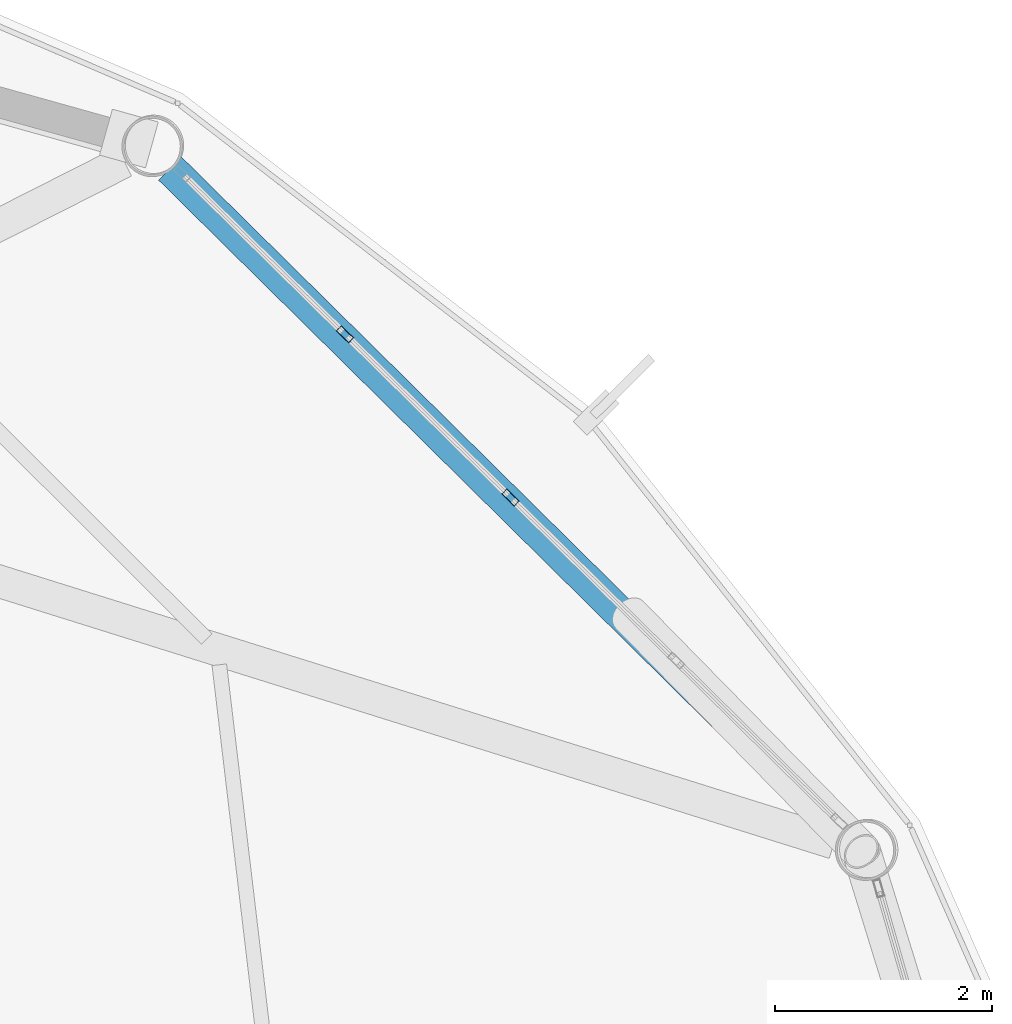
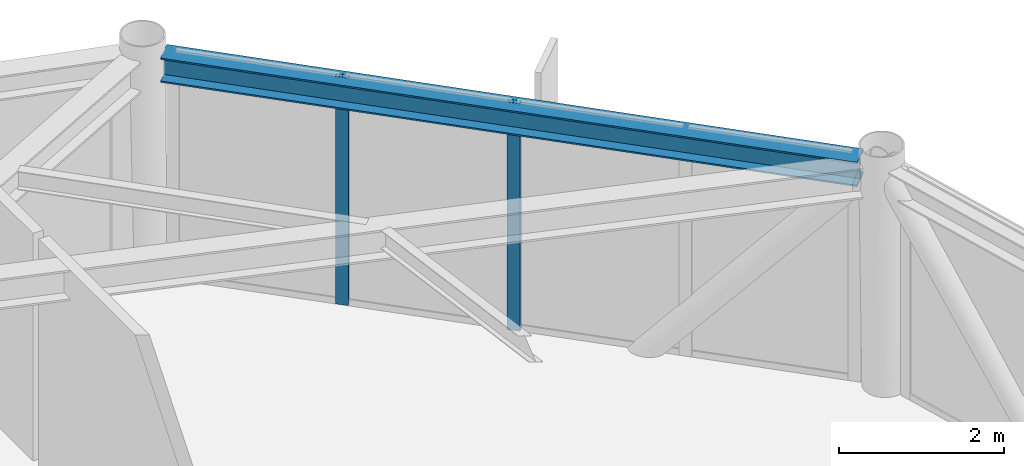
# One storey, part 15 of 26: 2 members, 1 beam, 1 element without a shape of its own.
"""IFC4 building model written with IfcOpenShell, lengths in metres."""

from ifc_helpers import new_model, si_unit, direction, frame, origin, origin_2d, place, context, subcontext, project, spatial, hollow_rectangle, i_section, extrude, material, layer, layer_set, material_profile, profile_set, type_object, element, aggregate, save


model = new_model("IFC4")

# Units and contexts
model_context = context("Model", 3, precision=1e-05, world=origin(), true_north=direction((0.0, 1.0)))
body_context = subcontext(model_context, "Body", "Model", "MODEL_VIEW")
ifc_project = project(units=[si_unit("LENGTHUNIT", "METRE"), si_unit("AREAUNIT", "SQUARE_METRE"), si_unit("VOLUMEUNIT", "CUBIC_METRE"), si_unit("PLANEANGLEUNIT", "RADIAN"), si_unit("MASSUNIT", "GRAM", prefix="KILO")], contexts=[model_context])

# Site, building, storey
site_placement = place(None, origin())
site = spatial("IfcSite", under=ifc_project, at=site_placement, CompositionType="ELEMENT")
building_placement = place(site_placement, origin())
building = spatial("IfcBuilding", under=site, at=building_placement, Name="Varnakorn Sky Granary", CompositionType="ELEMENT")
storey_placement = place(building_placement, frame((0.0, 0.0, 267.0)))
storey = spatial("IfcBuildingStorey", under=building, at=storey_placement, Name="L68", CompositionType="ELEMENT", Elevation=267.0)

# Beam
ifc_material_1 = material(Name="Steel S355JR", Category="steel")
ifc_material_profile_1 = material_profile(ifc_material_1, i_section(OverallWidth=0.300048828125, OverallDepth=0.360107421875, WebThickness=0.012451171875, FlangeThickness=0.0224609375, at=origin_2d()), Name="HE 360 B")
ifc_profile_set_1 = profile_set([ifc_material_profile_1], Name="Steel S355JR")
beam_type = type_object("IfcBeamType", Name="BM-SPD-Z5", PredefinedType="SPANDREL", material=ifc_profile_set_1)
beam_placement = place(storey_placement, frame((20.21044921875, 9.052978515625, 3.179931640625), z_axis=(-0.71146702689, 0.702719481478, 0.0), x_axis=(-0.702719481478, -0.71146702689, 0.0)))
element("IfcBeam", 1, at=beam_placement, inside=storey, type_object=beam_type, Name="Perimeter Spandrel Ring Beam RB02 L68", PredefinedType="SPANDREL", context=body_context, shape_type="SweptSolid", body=[
    extrude(i_section(OverallWidth=0.300048828125, OverallDepth=0.360107421875, WebThickness=0.012451171875, FlangeThickness=0.0224609375, at=origin_2d()), origin(), (0.0, 0.0, 1.0), 8.707763671875),
])

# Curtain wall, members
ifc_material_2 = material(Name="Anodised Bronze Aluminium Alloy 6063-T6", Category="aluminium")
ifc_layer = layer(ifc_material_2, 0.159912109375, Name="Anodised Bronze Aluminium Alloy 6063-T6")
ifc_layer_set = layer_set([ifc_layer], Name="Anodised Bronze Aluminium Alloy 6063-T6")
curtain_wall_type = type_object("IfcCurtainWallType", Name="CW-OFF-1", PredefinedType="USERDEFINED", material=ifc_layer_set)
curtain_wall_placement = place(storey_placement, origin())
curtain_wall = element("IfcCurtainWall", 2, at=curtain_wall_placement, inside=storey, type_object=curtain_wall_type, Name="Unitised Curtain Wall CW6 CW-L68-B02", ObjectType="CURTAIN WALL", PredefinedType="USERDEFINED")
ifc_material_profile_2 = material_profile(ifc_material_2, hollow_rectangle(XDim=0.06494140625, YDim=0.159912109375, WallThickness=0.00341796875, at=origin_2d()), Name="ALU MULL 65x160")
ifc_profile_set_2 = profile_set([ifc_material_profile_2], Name="Anodised Bronze Aluminium Alloy 6063-T6")
member_type = type_object("IfcMemberType", Name="CW-OFF-1-MULL", PredefinedType="MULLION", material=ifc_profile_set_2)
member_1_placement = place(storey_placement, frame((15.63037109375, 13.642333984375, 0.0), z_axis=(0.0, 0.0, 1.0), x_axis=(0.702091405728, 0.71208683319, 0.0)))
member_1 = element("IfcMember", 3, at=member_1_placement, type_object=member_type, Name="CW6 mullion 2", PredefinedType="MULLION", context=body_context, shape_type="SweptSolid", body=[
    extrude(hollow_rectangle(XDim=0.06494140625, YDim=0.159912109375, WallThickness=0.00341796875, at=origin_2d()), origin(), (0.0, 0.0, 1.0), 3.360107421875),
])
member_2_placement = place(storey_placement, frame((17.158447265625, 12.1357421875, 0.0), z_axis=(0.0, 0.0, 1.0), x_axis=(0.702091405728, 0.71208683319, 0.0)))
member_2 = element("IfcMember", 4, at=member_2_placement, type_object=member_type, Name="CW6 mullion 3", PredefinedType="MULLION", context=body_context, shape_type="SweptSolid", body=[
    extrude(hollow_rectangle(XDim=0.06494140625, YDim=0.159912109375, WallThickness=0.00341796875, at=origin_2d()), origin(), (0.0, 0.0, 1.0), 3.360107421875),
])
aggregate(curtain_wall, [member_1, member_2])

save(model, "model.ifc")
